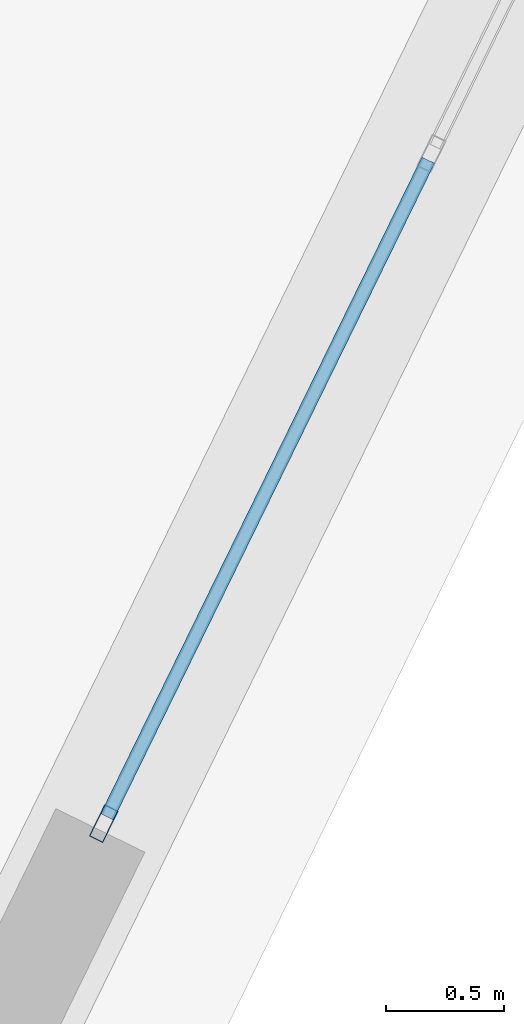
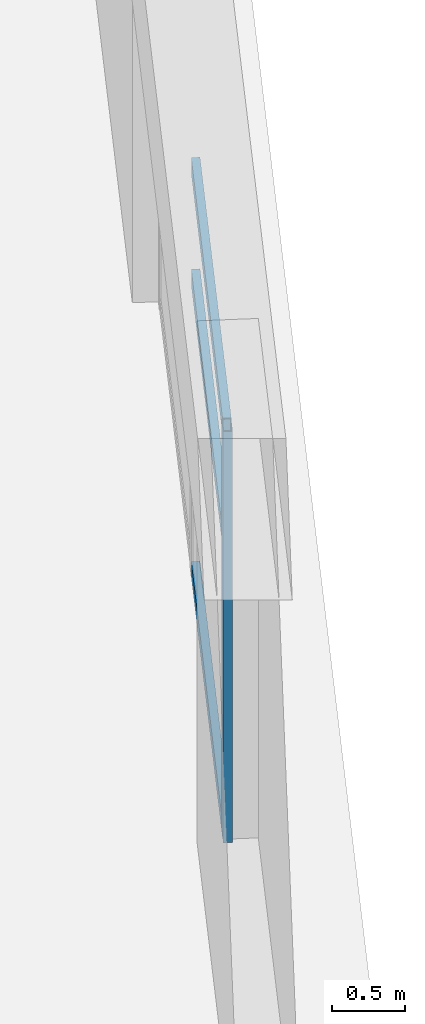
# One storey, part 14 of 30: 4 members, 1 element without a shape of its own.
"""IFC4 building model written with IfcOpenShell, lengths in metres."""

from ifc_helpers import new_model, si_unit, direction, frame, origin, origin_2d, place, context, subcontext, project, spatial, hollow_rectangle, extrude, source, transform, mapped, material, layer, layer_set, material_profile, profile_set, type_object, element, aggregate, save


model = new_model("IFC4")

# Units and contexts
model_context = context("Model", 3, precision=1e-05, world=origin(), true_north=direction((0.0, 1.0)))
body_context = subcontext(model_context, "Body", "Model", "MODEL_VIEW")
ifc_project = project(units=[si_unit("LENGTHUNIT", "METRE"), si_unit("AREAUNIT", "SQUARE_METRE"), si_unit("VOLUMEUNIT", "CUBIC_METRE"), si_unit("PLANEANGLEUNIT", "RADIAN"), si_unit("MASSUNIT", "GRAM", prefix="KILO")], contexts=[model_context])

# Site, building, storey
site_placement = place(None, origin())
site = spatial("IfcSite", under=ifc_project, at=site_placement, CompositionType="ELEMENT")
building_placement = place(site_placement, origin())
building = spatial("IfcBuilding", under=site, at=building_placement, Name="Liaohun Quay Tower", CompositionType="ELEMENT")
storey_placement = place(building_placement, frame((0.0, 0.0, 97.5)))
storey = spatial("IfcBuildingStorey", under=building, at=storey_placement, Name="L25", CompositionType="ELEMENT", Elevation=97.5)

# Curtain wall, members
ifc_material_1 = material(Name="Low-rise sky-lobby belvedere curtain wall")
ifc_layer = layer(ifc_material_1, 0.199951171875, Name="Low-rise sky-lobby belvedere curtain wall")
ifc_layer_set = layer_set([ifc_layer], Name="Low-rise sky-lobby belvedere curtain wall")
curtain_wall_type = type_object("IfcCurtainWallType", Name="CW-SKY-L25", PredefinedType="NOTDEFINED", material=ifc_layer_set)
curtain_wall_placement = place(storey_placement, origin())
curtain_wall = element("IfcCurtainWall", 1, at=curtain_wall_placement, inside=storey, type_object=curtain_wall_type, Name="L25 Panoramic Belvedere Curtain Wall 02", PredefinedType="NOTDEFINED")
ifc_material_2 = material(Name="Anodised aluminium 6063-T6", Category="aluminium")
ifc_material_profile_1 = material_profile(ifc_material_2, hollow_rectangle(XDim=0.06494140625, YDim=0.14990234375, WallThickness=0.00390625, at=origin_2d()), Name="RHS150x65x4")
ifc_profile_set_1 = profile_set([ifc_material_profile_1], Name="Anodised aluminium 6063-T6")
member_type_1 = type_object("IfcMemberType", Name="MEM-CWM-SKY", PredefinedType="MULLION", material=ifc_profile_set_1)
shared_shape_1 = source(origin(), body_context, "Body", "SweptSolid", [
    extrude(hollow_rectangle(XDim=0.06494140625, YDim=0.14990234375, WallThickness=0.00390625, at=origin_2d()), origin(), (0.0, 0.0, 1.0), 3.419921875),
])
member_1_placement = place(storey_placement, frame((89.59130859375, 52.8662109375, 0.0), z_axis=(0.0, 0.0, 1.0), x_axis=(-0.898299398197, 0.439383876809, 0.0)))
member_1 = element("IfcMember", 2, at=member_1_placement, type_object=member_type_1, Name="CW3 mullion 1", PredefinedType="MULLION", context=body_context, shape_type="MappedRepresentation", body=[
    mapped(shared_shape_1, transform((0.0, 0.0, 0.0), x_axis=(1.0, 0.0, 0.0), y_axis=(0.0, 1.0, 0.0), z_axis=(0.0, 0.0, 1.0), scale=1.0)),
])
ifc_material_profile_2 = material_profile(ifc_material_2, hollow_rectangle(XDim=0.06005859375, YDim=0.135009765625, WallThickness=0.00390625, at=origin_2d()), Name="RHS135x60x4")
ifc_profile_set_2 = profile_set([ifc_material_profile_2], Name="Anodised aluminium 6063-T6")
member_type_2 = type_object("IfcMemberType", Name="MEM-CWT-SKY", PredefinedType="USERDEFINED", material=ifc_profile_set_2)
shared_shape_2 = source(origin(), body_context, "Body", "SweptSolid", [
    extrude(hollow_rectangle(XDim=0.06005859375, YDim=0.135009765625, WallThickness=0.00390625, at=origin_2d()), origin(), (0.0, 0.0, 1.0), 3.1025390625),
])
member_2_placement = place(storey_placement, frame((89.60546875, 52.8955078125, 0.030029296875), z_axis=(0.439421828814, 0.898280833794, 0.0), x_axis=(-0.898280833794, 0.439421828814, 0.0)))
member_2 = element("IfcMember", 3, at=member_2_placement, type_object=member_type_2, Name="CW3 transom 1.1", ObjectType="TRANSOM", PredefinedType="USERDEFINED", context=body_context, shape_type="MappedRepresentation", body=[
    mapped(shared_shape_2, transform((0.0, 0.0, 0.0), x_axis=(1.0, 0.0, 0.0), y_axis=(0.0, 1.0, 0.0), z_axis=(0.0, 0.0, 1.0), scale=1.0)),
])
member_3_placement = place(storey_placement, frame((89.60546875, 52.8955078125, 2.4619140625), z_axis=(0.439421828814, 0.898280833794, 0.0), x_axis=(-0.898280833794, 0.439421828814, 0.0)))
member_3 = element("IfcMember", 4, at=member_3_placement, type_object=member_type_2, Name="CW3 transom 1.2", ObjectType="TRANSOM", PredefinedType="USERDEFINED", context=body_context, shape_type="MappedRepresentation", body=[
    mapped(shared_shape_2, transform((0.0, 0.0, 0.0), x_axis=(1.0, 0.0, 0.0), y_axis=(0.0, 1.0, 0.0), z_axis=(0.0, 0.0, 1.0), scale=1.0)),
])
member_4_placement = place(storey_placement, frame((89.60546875, 52.8955078125, 3.389892578125), z_axis=(0.439421828814, 0.898280833794, 0.0), x_axis=(-0.898280833794, 0.439421828814, 0.0)))
member_4 = element("IfcMember", 5, at=member_4_placement, type_object=member_type_2, Name="CW3 transom 1.3", ObjectType="TRANSOM", PredefinedType="USERDEFINED", context=body_context, shape_type="MappedRepresentation", body=[
    mapped(shared_shape_2, transform((0.0, 0.0, 0.0), x_axis=(1.0, 0.0, 0.0), y_axis=(0.0, 1.0, 0.0), z_axis=(0.0, 0.0, 1.0), scale=1.0)),
])
aggregate(curtain_wall, [member_1, member_2, member_3, member_4])

save(model, "model.ifc")
